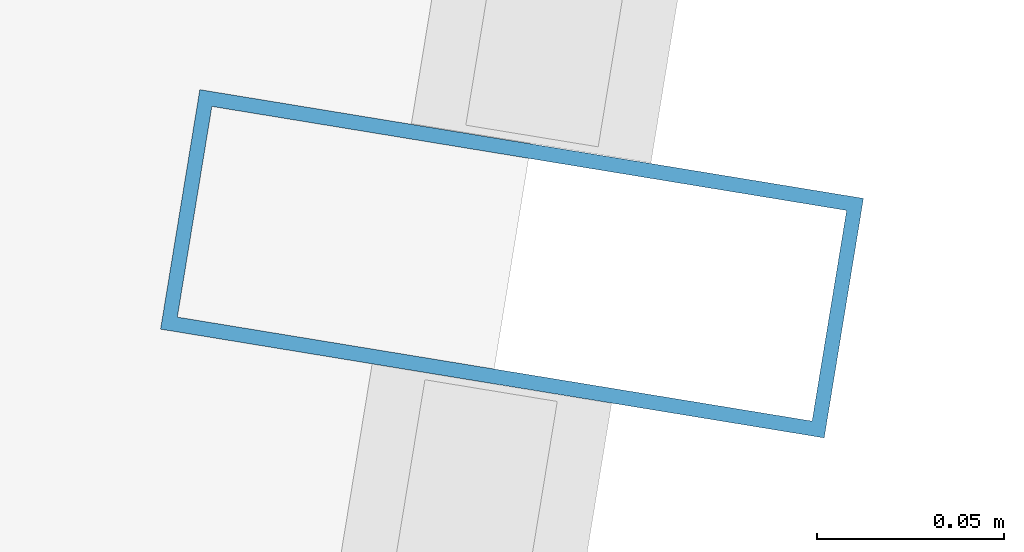
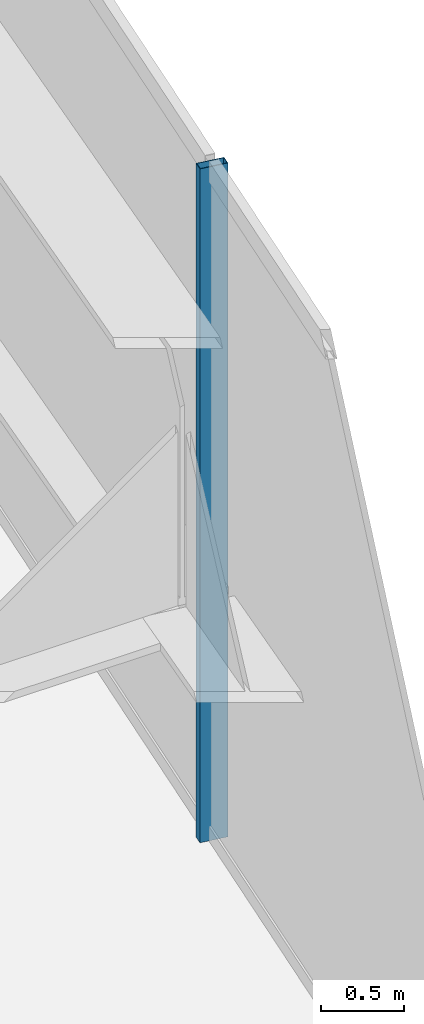
# One storey, part 24 of 42: 1 member, 1 element without a shape of its own.
"""IFC4 building model written with IfcOpenShell, lengths in metres."""

from ifc_helpers import new_model, si_unit, direction, frame, origin, origin_2d, place, context, subcontext, project, spatial, hollow_rectangle, extrude, material, material_profile, profile_set, type_object, element, aggregate, save


model = new_model("IFC4")

# Units and contexts
model_context = context("Model", 3, precision=1e-05, world=origin(), true_north=direction((0.0, 1.0)))
body_context = subcontext(model_context, "Body", "Model", "MODEL_VIEW")
ifc_project = project(units=[si_unit("LENGTHUNIT", "METRE"), si_unit("AREAUNIT", "SQUARE_METRE"), si_unit("VOLUMEUNIT", "CUBIC_METRE"), si_unit("PLANEANGLEUNIT", "RADIAN"), si_unit("MASSUNIT", "GRAM", prefix="KILO")], contexts=[model_context])

# Site, building, storey
site_placement = place(None, origin())
site = spatial("IfcSite", under=ifc_project, at=site_placement, CompositionType="ELEMENT")
building_placement = place(site_placement, origin())
building = spatial("IfcBuilding", under=site, at=building_placement, Name="Saevonmaru Cultural Tower", CompositionType="ELEMENT")
storey_placement = place(building_placement, frame((0.0, 0.0, 33.0)))
storey = spatial("IfcBuildingStorey", under=building, at=storey_placement, Name="L06", CompositionType="ELEMENT", Elevation=33.0)

# Curtain wall, member
ifc_material = material(Name="Satin Bronze Anodised Aluminium", Category="aluminium")
curtain_wall_type = type_object("IfcCurtainWallType", Name="CW-SKY-GLZ", PredefinedType="NOTDEFINED", material=ifc_material)
curtain_wall_placement = place(storey_placement, origin())
curtain_wall = element("IfcCurtainWall", 1, at=curtain_wall_placement, inside=storey, type_object=curtain_wall_type, Name="L06 Unitised Curtain Wall E8", PredefinedType="NOTDEFINED")
ifc_material_profile = material_profile(ifc_material, hollow_rectangle(XDim=0.06494140625, YDim=0.179931640625, WallThickness=0.00390625, at=origin_2d()), Name="ALU-MULL-180x65x4")
ifc_profile_set = profile_set([ifc_material_profile], Name="Satin Bronze Anodised Aluminium")
member_type = type_object("IfcMemberType", Name="ML-CW-180x65", PredefinedType="MULLION", material=ifc_profile_set)
member_placement = place(storey_placement, frame((52.878173828125, 33.748046875, 0.0), z_axis=(0.0, 0.0, 1.0), x_axis=(0.161708868641, 0.986838508472, 0.0)))
member = element("IfcMember", 2, at=member_placement, type_object=member_type, Name="CW-TW-L06-E8 mullion 4", PredefinedType="MULLION", context=body_context, shape_type="SweptSolid", body=[
    extrude(hollow_rectangle(XDim=0.06494140625, YDim=0.179931640625, WallThickness=0.00390625, at=origin_2d()), origin(), (0.0, 0.0, 1.0), 4.949951171875),
])
aggregate(curtain_wall, [member])

save(model, "model.ifc")
